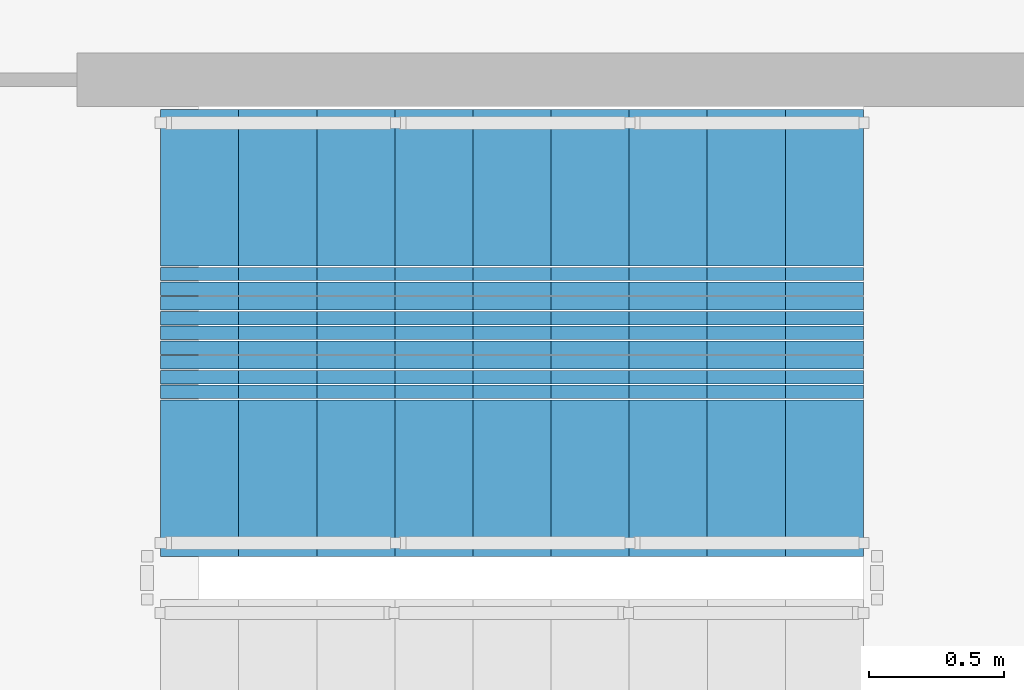
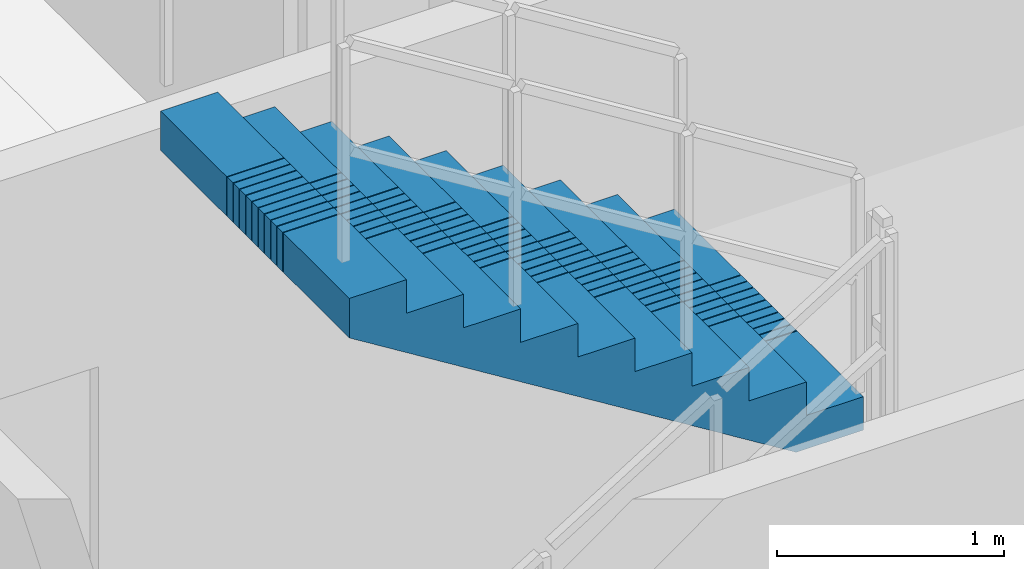
# One storey, part 21 of 27: 1 stair flight, 1 element without a shape of its own.
"""IFC4 building model written with IfcOpenShell, lengths in metres."""

import ifcopenshell
import ifcopenshell.guid

model = None  # the IFC model being written
_history = None  # IfcOwnerHistory: only IFC2X3 demands one
_inside = {}  # id of a spatial element -> (the spatial element, [elements in it])
_under = {}  # id of a project, library or spatial element -> (it, [spatial elements below it])
_declared = {}  # id of a project -> (the project, [libraries it declares])
_typed = {}  # id of a type object -> (the type object, [elements of that type])
_made_of = {}  # id of a material, layer set ... -> (it, [elements and type objects made of it])


def new_model(schema):
    """Start an empty IFC model of exactly this schema.

    Asked for "IFC4X3", IfcOpenShell would pick the latest addendum, in which some entities
    have other attributes; the version numbers below select the first issue.
    IFC2X3 requires an IfcOwnerHistory on every rooted entity: one is made here for all.
    """
    global model, _history
    if schema == "IFC4X3":
        model = ifcopenshell.file(schema_version=(4, 3, 0, 0))
    else:
        model = ifcopenshell.file(schema=schema)
    _inside.clear()
    _under.clear()
    _declared.clear()
    _typed.clear()
    _made_of.clear()
    _history = None
    if model.schema == "IFC2X3":
        org = make("IfcOrganization", Name="unknown")
        user = make(
            "IfcPersonAndOrganization",
            ThePerson=make("IfcPerson", FamilyName="unknown"),
            TheOrganization=org,
        )
        app = make(
            "IfcApplication",
            ApplicationDeveloper=org,
            Version="unknown",
            ApplicationFullName="unknown",
            ApplicationIdentifier="unknown",
        )
        _history = make(
            "IfcOwnerHistory",
            OwningUser=user,
            OwningApplication=app,
            ChangeAction="ADDED",
            CreationDate=0,
        )
    return model


def make(cls, **values):
    """One entity of the class cls with the attributes given. An attribute that is None is left unset."""
    return model.create_entity(
        cls, **{name: value for name, value in values.items() if value is not None}
    )


def rooted(cls, **values):
    """An entity with a GlobalId (a new one), such as an element, a storey or a relation."""
    return make(cls, GlobalId=ifcopenshell.guid.new(), OwnerHistory=_history, **values)


def si_unit(unit_type, name, prefix=None):
    """IfcSIUnit, for example si_unit("LENGTHUNIT", "METRE", prefix="MILLI")."""
    return make("IfcSIUnit", UnitType=unit_type, Prefix=prefix, Name=name)


def assignment(units):
    """IfcUnitAssignment: the units of a project."""
    return None if units is None else make("IfcUnitAssignment", Units=units)


def point(xyz):
    """IfcCartesianPoint."""
    return None if xyz is None else make("IfcCartesianPoint", Coordinates=xyz)


def direction(xyz):
    """IfcDirection."""
    return None if xyz is None else make("IfcDirection", DirectionRatios=xyz)


def frame(location, z_axis=None, x_axis=None):
    """IfcAxis2Placement3D, a coordinate frame: its origin and axes. An axis left out is left unset."""
    return make(
        "IfcAxis2Placement3D",
        Location=point(location),
        Axis=direction(z_axis),
        RefDirection=direction(x_axis),
    )


def origin():
    """The frame at (0, 0, 0) with its axes left unset."""
    return frame((0.0, 0.0, 0.0))


def place(relative_to, where):
    """IfcLocalPlacement: puts the frame where relative to a parent placement (None: the world)."""
    return make(
        "IfcLocalPlacement", PlacementRelTo=relative_to, RelativePlacement=where
    )


def context(
    kind, dimensions, precision=None, world=None, true_north=None, identifier=None
):
    """IfcGeometricRepresentationContext, for example the 3D "Model" context."""
    return make(
        "IfcGeometricRepresentationContext",
        ContextIdentifier=identifier,
        ContextType=kind,
        CoordinateSpaceDimension=dimensions,
        Precision=precision,
        WorldCoordinateSystem=world,
        TrueNorth=true_north,
    )


def subcontext(parent, identifier, kind, view, scale=None):
    """IfcGeometricRepresentationSubContext, for example "Body" below "Model"."""
    return make(
        "IfcGeometricRepresentationSubContext",
        ContextIdentifier=identifier,
        ContextType=kind,
        ParentContext=parent,
        TargetScale=scale,
        TargetView=view,
    )


def project(units=None, contexts=None):
    """IfcProject with its units and contexts."""
    return rooted(
        "IfcProject",
        Name="project",
        RepresentationContexts=contexts,
        UnitsInContext=assignment(units),
    )


def spatial(cls, under=None, at=None, **own):
    """A site, building, storey or space (cls), placed at a placement, below another one or the project."""
    s = rooted(cls, ObjectPlacement=at, **own)
    if under is not None:
        _under.setdefault(under.id(), (under, []))[1].append(s)
    return s


def polyline(points):
    """IfcPolyline through the points."""
    return make("IfcPolyline", Points=[point(p) for p in points])


def outline(outer, holes=None, kind="AREA"):
    """IfcArbitraryClosedProfileDef: a profile drawn as a closed curve; with holes, ...WithVoids."""
    if holes is None:
        return make("IfcArbitraryClosedProfileDef", ProfileType=kind, OuterCurve=outer)
    return make(
        "IfcArbitraryProfileDefWithVoids",
        ProfileType=kind,
        OuterCurve=outer,
        InnerCurves=holes,
    )


def extrude(swept, where, along, depth):
    """IfcExtrudedAreaSolid: the profile swept, set in the frame where, extruded along a direction by depth."""
    return make(
        "IfcExtrudedAreaSolid",
        SweptArea=swept,
        Position=where,
        ExtrudedDirection=direction(along),
        Depth=depth,
    )


def shape(context_of_items, identifier, shape_type, items):
    """IfcShapeRepresentation: the items that make up one representation, for example the "Body"."""
    return make(
        "IfcShapeRepresentation",
        ContextOfItems=context_of_items,
        RepresentationIdentifier=identifier,
        RepresentationType=shape_type,
        Items=items,
    )


def material(Name=None, Category=None):
    """IfcMaterial."""
    return make("IfcMaterial", Name=Name, Category=Category)


def made_of(thing, what):
    """Note that an element or type object is made of a material, layer set ...; save() writes the relation."""
    if what is not None:
        _made_of.setdefault(what.id(), (what, []))[1].append(thing)
    return thing


def type_object(cls, material=None, **own):
    """A type object (cls), such as IfcWallType, which elements share."""
    return made_of(rooted(cls, **own), material)


def element(
    cls,
    number,
    at=None,
    inside=None,
    cuts=None,
    type_object=None,
    material=None,
    context=None,
    identifier="Body",
    shape_type=None,
    held_by="IfcProductDefinitionShape",
    body=None,
    shapes=None,
    **own,
):
    """One element of the class cls, such as IfcWall. Its Tag is "e" and its number.

    at: its placement. inside: the storey or other place that contains it. cuts: it is an
    opening in that element (IfcRelVoidsElement). A single representation is given by context,
    identifier, shape_type and body (its items); several are given by shapes. held_by: the class
    of the entity that holds the representations. save() writes the other relations.
    """
    e = rooted(cls, Tag="e%d" % number, ObjectPlacement=at, **own)
    if body is not None:
        shapes = [shape(context, identifier, shape_type, body)]
    if shapes is not None:
        e.Representation = make(held_by, Representations=shapes)
    if inside is not None:
        _inside.setdefault(inside.id(), (inside, []))[1].append(e)
    if cuts is not None:
        rooted(
            "IfcRelVoidsElement", RelatingBuildingElement=cuts, RelatedOpeningElement=e
        )
    if type_object is not None:
        _typed.setdefault(type_object.id(), (type_object, []))[1].append(e)
    return made_of(e, material)


def aggregate(whole, parts):
    """IfcRelAggregates: a whole, such as a stair, and the parts it consists of."""
    return rooted("IfcRelAggregates", RelatingObject=whole, RelatedObjects=parts)


def save(model, path):
    """Write the relations noted so far, then the file.

    IfcRelAggregates (storeys below a building ...), IfcRelContainedInSpatialStructure (elements
    in a storey), IfcRelDefinesByType, IfcRelAssociatesMaterial and IfcRelDeclares: one each for
    every whole, place, type object, material and project.
    """
    for whole, parts in _under.values():
        aggregate(whole, parts)
    for where, things in _inside.values():
        rooted(
            "IfcRelContainedInSpatialStructure",
            RelatedElements=things,
            RelatingStructure=where,
        )
    for kind, things in _typed.values():
        rooted("IfcRelDefinesByType", RelatedObjects=things, RelatingType=kind)
    for what, things in _made_of.values():
        rooted("IfcRelAssociatesMaterial", RelatedObjects=things, RelatingMaterial=what)
    for by, libraries in _declared.values():
        rooted("IfcRelDeclares", RelatingContext=by, RelatedDefinitions=libraries)
    model.write(path)


model = new_model("IFC4")

# Units and contexts
model_context = context("Model", 3, precision=1e-05, world=origin(), true_north=direction((0.0, 1.0)))
body_context = subcontext(model_context, "Body", "Model", "MODEL_VIEW")
ifc_project = project(units=[si_unit("LENGTHUNIT", "METRE"), si_unit("AREAUNIT", "SQUARE_METRE"), si_unit("VOLUMEUNIT", "CUBIC_METRE"), si_unit("PLANEANGLEUNIT", "RADIAN"), si_unit("MASSUNIT", "GRAM", prefix="KILO")], contexts=[model_context])

# Site, building, storey
site_placement = place(None, origin())
site = spatial("IfcSite", under=ifc_project, at=site_placement, CompositionType="ELEMENT")
building_placement = place(site_placement, origin())
building = spatial("IfcBuilding", under=site, at=building_placement, Name="Saelheon Loggia Tower", CompositionType="ELEMENT")
storey_placement = place(building_placement, frame((0.0, 0.0, 4.199951171875)))
storey = spatial("IfcBuildingStorey", under=building, at=storey_placement, Name="L01", CompositionType="ELEMENT", Elevation=4.199951171875)

# Stair, stair flight
ifc_material = material(Name="Concrete C40/50", Category="concrete")
stair_type = type_object("IfcStairType", Name="Stair_Escape_Podium", PredefinedType="HALF_TURN_STAIR", material=ifc_material)
stair_placement = place(storey_placement, origin())
stair = element("IfcStair", 1, at=stair_placement, inside=storey, type_object=stair_type, Name="L01 Podium Escape Stair ST4", PredefinedType="HALF_TURN_STAIR")
stair_flight_type = type_object("IfcStairFlightType", Name="StairFlight_Podium_1660", PredefinedType="STRAIGHT", material=ifc_material)
stair_flight_placement = place(storey_placement, frame((68.4599609375, 3.449951171875, 1.800048828125), z_axis=(0.0, 0.0, 1.0), x_axis=(-1.0, 0.0, 0.0)))
stair_flight = element("IfcStairFlight", 2, at=stair_flight_placement, type_object=stair_flight_type, Name="ST4 flight 2", NumberOfRisers=10, NumberOfTreads=9, PredefinedType="STRAIGHT", RiserHeight=0.18, TreadLength=0.29, context=body_context, shape_type="SweptSolid", body=[
    extrude(outline(polyline([(0.0, 0.0), (0.0, 0.179931640625), (0.2900390625, 0.179931640625), (0.2900390625, 0.360107421875), (0.580078125, 0.360107421875), (0.580078125, 0.5400390625), (0.8701171875, 0.5400390625), (0.8701171875, 0.719970703125), (1.159912109375, 0.719970703125), (1.159912109375, 0.89990234375), (1.449951171875, 0.89990234375), (1.449951171875, 1.080078125), (1.739990234375, 1.080078125), (1.739990234375, 1.260009765625), (2.030029296875, 1.260009765625), (2.030029296875, 1.43994140625), (2.320068359375, 1.43994140625), (2.320068359375, 1.6201171875), (2.610107421875, 1.6201171875), (2.610107421875, 1.800048828125), (2.610107421875, 1.408203125), (0.34130859375, 0.0), (0.0, 0.0)])), frame((0.0, -0.2490234375, 0.0), z_axis=(0.0, -1.0, 0.0), x_axis=(1.0, 0.0, 0.0)), (0.0, 0.0, 1.0), 0.5810546875),
    extrude(outline(polyline([(0.0, 0.0), (0.0, 0.179931640625), (0.2900390625, 0.179931640625), (0.2900390625, 0.360107421875), (0.580078125, 0.360107421875), (0.580078125, 0.5400390625), (0.8701171875, 0.5400390625), (0.8701171875, 0.719970703125), (1.159912109375, 0.719970703125), (1.159912109375, 0.89990234375), (1.449951171875, 0.89990234375), (1.449951171875, 1.080078125), (1.739990234375, 1.080078125), (1.739990234375, 1.260009765625), (2.030029296875, 1.260009765625), (2.030029296875, 1.43994140625), (2.320068359375, 1.43994140625), (2.320068359375, 1.6201171875), (2.610107421875, 1.6201171875), (2.610107421875, 1.800048828125), (2.610107421875, 1.408203125), (0.34130859375, 0.0), (0.0, 0.0)])), frame((0.0, -0.194091796875, 0.0), z_axis=(0.0, -1.0, 0.0), x_axis=(1.0, 0.0, 0.0)), (0.0, 0.0, 1.0), 0.0498046875),
    extrude(outline(polyline([(0.0, 0.0), (0.0, 0.179931640625), (0.2900390625, 0.179931640625), (0.2900390625, 0.360107421875), (0.580078125, 0.360107421875), (0.580078125, 0.5400390625), (0.8701171875, 0.5400390625), (0.8701171875, 0.719970703125), (1.159912109375, 0.719970703125), (1.159912109375, 0.89990234375), (1.449951171875, 0.89990234375), (1.449951171875, 1.080078125), (1.739990234375, 1.080078125), (1.739990234375, 1.260009765625), (2.030029296875, 1.260009765625), (2.030029296875, 1.43994140625), (2.320068359375, 1.43994140625), (2.320068359375, 1.6201171875), (2.610107421875, 1.6201171875), (2.610107421875, 1.800048828125), (2.610107421875, 1.408203125), (0.34130859375, 0.0), (0.0, 0.0)])), frame((0.0, -0.139404296875, 0.0), z_axis=(0.0, -1.0, 0.0), x_axis=(1.0, 0.0, 0.0)), (0.0, 0.0, 1.0), 0.0498046875),
    extrude(outline(polyline([(0.0, 0.0), (0.0, 0.179931640625), (0.2900390625, 0.179931640625), (0.2900390625, 0.360107421875), (0.580078125, 0.360107421875), (0.580078125, 0.5400390625), (0.8701171875, 0.5400390625), (0.8701171875, 0.719970703125), (1.159912109375, 0.719970703125), (1.159912109375, 0.89990234375), (1.449951171875, 0.89990234375), (1.449951171875, 1.080078125), (1.739990234375, 1.080078125), (1.739990234375, 1.260009765625), (2.030029296875, 1.260009765625), (2.030029296875, 1.43994140625), (2.320068359375, 1.43994140625), (2.320068359375, 1.6201171875), (2.610107421875, 1.6201171875), (2.610107421875, 1.800048828125), (2.610107421875, 1.408203125), (0.34130859375, 0.0), (0.0, 0.0)])), frame((0.0, -0.084716796875, 0.0), z_axis=(0.0, -1.0, 0.0), x_axis=(1.0, 0.0, 0.0)), (0.0, 0.0, 1.0), 0.0498046875),
    extrude(outline(polyline([(0.0, 0.0), (0.0, 0.179931640625), (0.2900390625, 0.179931640625), (0.2900390625, 0.360107421875), (0.580078125, 0.360107421875), (0.580078125, 0.5400390625), (0.8701171875, 0.5400390625), (0.8701171875, 0.719970703125), (1.159912109375, 0.719970703125), (1.159912109375, 0.89990234375), (1.449951171875, 0.89990234375), (1.449951171875, 1.080078125), (1.739990234375, 1.080078125), (1.739990234375, 1.260009765625), (2.030029296875, 1.260009765625), (2.030029296875, 1.43994140625), (2.320068359375, 1.43994140625), (2.320068359375, 1.6201171875), (2.610107421875, 1.6201171875), (2.610107421875, 1.800048828125), (2.610107421875, 1.408203125), (0.34130859375, 0.0), (0.0, 0.0)])), frame((0.0, -0.02978515625, 0.0), z_axis=(0.0, -1.0, 0.0), x_axis=(1.0, 0.0, 0.0)), (0.0, 0.0, 1.0), 0.0498046875),
    extrude(outline(polyline([(0.0, 0.0), (0.0, 0.179931640625), (0.2900390625, 0.179931640625), (0.2900390625, 0.360107421875), (0.580078125, 0.360107421875), (0.580078125, 0.5400390625), (0.8701171875, 0.5400390625), (0.8701171875, 0.719970703125), (1.159912109375, 0.719970703125), (1.159912109375, 0.89990234375), (1.449951171875, 0.89990234375), (1.449951171875, 1.080078125), (1.739990234375, 1.080078125), (1.739990234375, 1.260009765625), (2.030029296875, 1.260009765625), (2.030029296875, 1.43994140625), (2.320068359375, 1.43994140625), (2.320068359375, 1.6201171875), (2.610107421875, 1.6201171875), (2.610107421875, 1.800048828125), (2.610107421875, 1.408203125), (0.34130859375, 0.0), (0.0, 0.0)])), frame((0.0, 0.02490234375, 0.0), z_axis=(0.0, -1.0, 0.0), x_axis=(1.0, 0.0, 0.0)), (0.0, 0.0, 1.0), 0.0498046875),
    extrude(outline(polyline([(0.0, 0.0), (0.0, 0.179931640625), (0.2900390625, 0.179931640625), (0.2900390625, 0.360107421875), (0.580078125, 0.360107421875), (0.580078125, 0.5400390625), (0.8701171875, 0.5400390625), (0.8701171875, 0.719970703125), (1.159912109375, 0.719970703125), (1.159912109375, 0.89990234375), (1.449951171875, 0.89990234375), (1.449951171875, 1.080078125), (1.739990234375, 1.080078125), (1.739990234375, 1.260009765625), (2.030029296875, 1.260009765625), (2.030029296875, 1.43994140625), (2.320068359375, 1.43994140625), (2.320068359375, 1.6201171875), (2.610107421875, 1.6201171875), (2.610107421875, 1.800048828125), (2.610107421875, 1.408203125), (0.34130859375, 0.0), (0.0, 0.0)])), frame((0.0, 0.07958984375, 0.0), z_axis=(0.0, -1.0, 0.0), x_axis=(1.0, 0.0, 0.0)), (0.0, 0.0, 1.0), 0.0498046875),
    extrude(outline(polyline([(0.0, 0.0), (0.0, 0.179931640625), (0.2900390625, 0.179931640625), (0.2900390625, 0.360107421875), (0.580078125, 0.360107421875), (0.580078125, 0.5400390625), (0.8701171875, 0.5400390625), (0.8701171875, 0.719970703125), (1.159912109375, 0.719970703125), (1.159912109375, 0.89990234375), (1.449951171875, 0.89990234375), (1.449951171875, 1.080078125), (1.739990234375, 1.080078125), (1.739990234375, 1.260009765625), (2.030029296875, 1.260009765625), (2.030029296875, 1.43994140625), (2.320068359375, 1.43994140625), (2.320068359375, 1.6201171875), (2.610107421875, 1.6201171875), (2.610107421875, 1.800048828125), (2.610107421875, 1.408203125), (0.34130859375, 0.0), (0.0, 0.0)])), frame((0.0, 0.134521484375, 0.0), z_axis=(0.0, -1.0, 0.0), x_axis=(1.0, 0.0, 0.0)), (0.0, 0.0, 1.0), 0.0498046875),
    extrude(outline(polyline([(0.0, 0.0), (0.0, 0.179931640625), (0.2900390625, 0.179931640625), (0.2900390625, 0.360107421875), (0.580078125, 0.360107421875), (0.580078125, 0.5400390625), (0.8701171875, 0.5400390625), (0.8701171875, 0.719970703125), (1.159912109375, 0.719970703125), (1.159912109375, 0.89990234375), (1.449951171875, 0.89990234375), (1.449951171875, 1.080078125), (1.739990234375, 1.080078125), (1.739990234375, 1.260009765625), (2.030029296875, 1.260009765625), (2.030029296875, 1.43994140625), (2.320068359375, 1.43994140625), (2.320068359375, 1.6201171875), (2.610107421875, 1.6201171875), (2.610107421875, 1.800048828125), (2.610107421875, 1.408203125), (0.34130859375, 0.0), (0.0, 0.0)])), frame((0.0, 0.189208984375, 0.0), z_axis=(0.0, -1.0, 0.0), x_axis=(1.0, 0.0, 0.0)), (0.0, 0.0, 1.0), 0.0498046875),
    extrude(outline(polyline([(0.0, 0.0), (0.0, 0.179931640625), (0.2900390625, 0.179931640625), (0.2900390625, 0.360107421875), (0.580078125, 0.360107421875), (0.580078125, 0.5400390625), (0.8701171875, 0.5400390625), (0.8701171875, 0.719970703125), (1.159912109375, 0.719970703125), (1.159912109375, 0.89990234375), (1.449951171875, 0.89990234375), (1.449951171875, 1.080078125), (1.739990234375, 1.080078125), (1.739990234375, 1.260009765625), (2.030029296875, 1.260009765625), (2.030029296875, 1.43994140625), (2.320068359375, 1.43994140625), (2.320068359375, 1.6201171875), (2.610107421875, 1.6201171875), (2.610107421875, 1.800048828125), (2.610107421875, 1.408203125), (0.34130859375, 0.0), (0.0, 0.0)])), frame((0.0, 0.243896484375, 0.0), z_axis=(0.0, -1.0, 0.0), x_axis=(1.0, 0.0, 0.0)), (0.0, 0.0, 1.0), 0.0498046875),
    extrude(outline(polyline([(0.0, 0.0), (0.0, 0.179931640625), (0.2900390625, 0.179931640625), (0.2900390625, 0.360107421875), (0.580078125, 0.360107421875), (0.580078125, 0.5400390625), (0.8701171875, 0.5400390625), (0.8701171875, 0.719970703125), (1.159912109375, 0.719970703125), (1.159912109375, 0.89990234375), (1.449951171875, 0.89990234375), (1.449951171875, 1.080078125), (1.739990234375, 1.080078125), (1.739990234375, 1.260009765625), (2.030029296875, 1.260009765625), (2.030029296875, 1.43994140625), (2.320068359375, 1.43994140625), (2.320068359375, 1.6201171875), (2.610107421875, 1.6201171875), (2.610107421875, 1.800048828125), (2.610107421875, 1.408203125), (0.34130859375, 0.0), (0.0, 0.0)])), frame((0.0, 0.830078125, 0.0), z_axis=(0.0, -1.0, 0.0), x_axis=(1.0, 0.0, 0.0)), (0.0, 0.0, 1.0), 0.5810546875),
])
aggregate(stair, [stair_flight])

save(model, "model.ifc")
